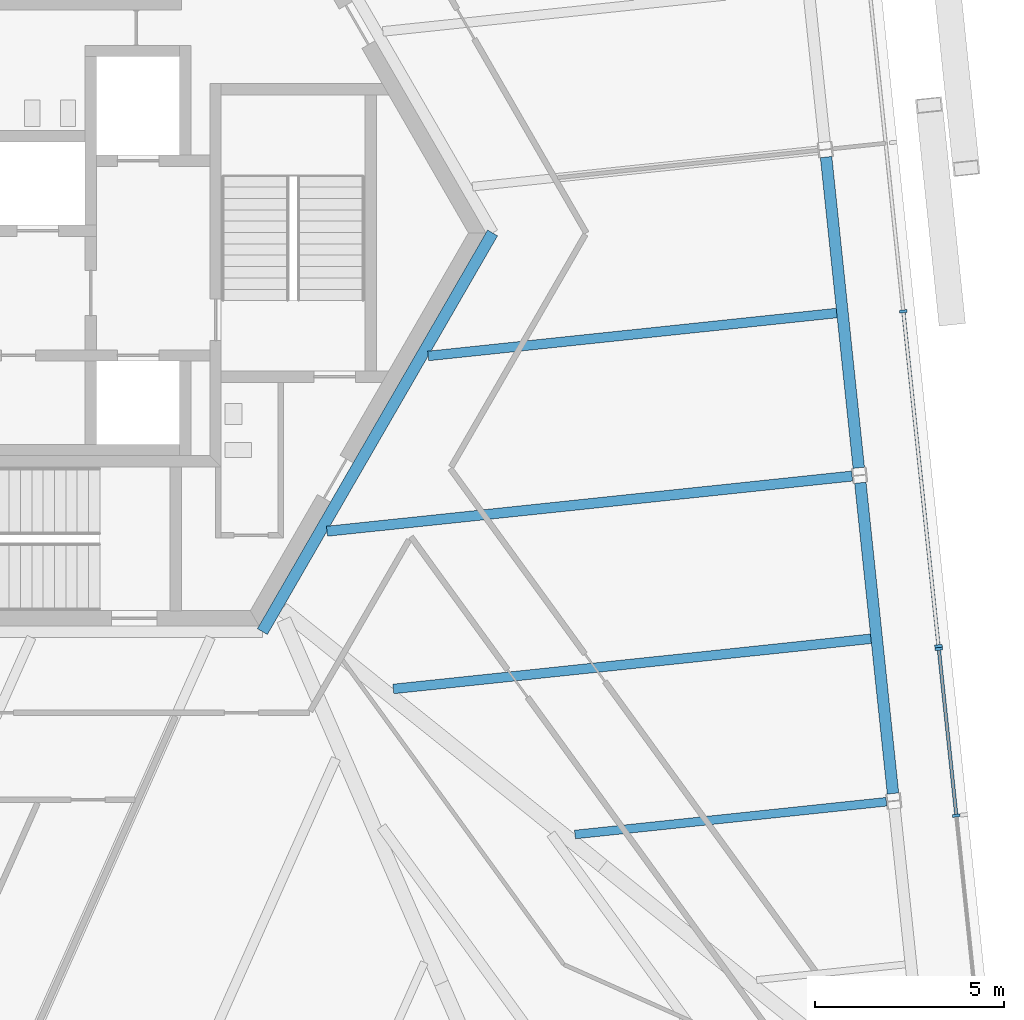
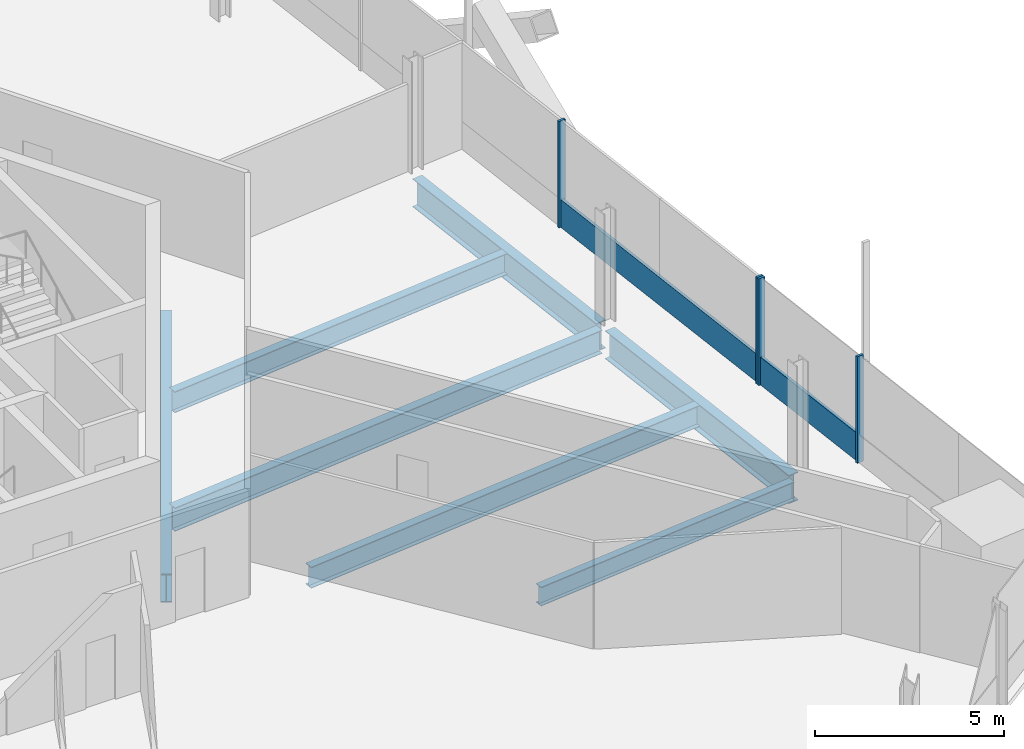
# One storey, part 6 of 21: 7 beams, 6 members, 2 elements without a shape of their own.
"""IFC4 building model written with IfcOpenShell, lengths in metres."""

from ifc_helpers import new_model, si_unit, direction, frame, origin, origin_2d, place, context, subcontext, project, spatial, rectangle, i_section, extrude, source, transform, mapped, material, material_profile, profile_set, type_object, element, aggregate, save


model = new_model("IFC4")

# Units and contexts
model_context = context("Model", 3, precision=1e-05, world=origin(), true_north=direction((0.0, 1.0)))
body_context = subcontext(model_context, "Body", "Model", "MODEL_VIEW")
ifc_project = project(units=[si_unit("LENGTHUNIT", "METRE"), si_unit("AREAUNIT", "SQUARE_METRE"), si_unit("VOLUMEUNIT", "CUBIC_METRE"), si_unit("PLANEANGLEUNIT", "RADIAN"), si_unit("MASSUNIT", "GRAM", prefix="KILO")], contexts=[model_context])

# Site, building, storey
site_placement = place(None, origin())
site = spatial("IfcSite", under=ifc_project, at=site_placement, CompositionType="ELEMENT")
building_placement = place(site_placement, origin())
building = spatial("IfcBuilding", under=site, at=building_placement, Name="Triune Harvest Tower", CompositionType="ELEMENT")
storey_placement = place(building_placement, frame((0.0, 0.0, 72.89990234375)))
storey = spatial("IfcBuildingStorey", under=building, at=storey_placement, Name="L17", CompositionType="ELEMENT", Elevation=72.89990234375)

# Beams
ifc_material_1 = material(Name="Steel ASTM A992 Gr 50", Category="steel")
ifc_material_profile_1 = material_profile(ifc_material_1, i_section(OverallWidth=0.3046875, OverallDepth=0.914306640625, WebThickness=0.0166015625, FlangeThickness=0.02587890625, at=origin_2d()), Name="W36x160")
ifc_profile_set_1 = profile_set([ifc_material_profile_1], Name="Steel ASTM A992 Gr 50")
beam_type_1 = type_object("IfcBeamType", Name="CG-1 Core ring girder W36x160", PredefinedType="BEAM", material=ifc_profile_set_1)
shared_shape_1 = source(origin(), body_context, "Body", "SweptSolid", [
    extrude(i_section(OverallWidth=0.3046875, OverallDepth=0.914306640625, WebThickness=0.0166015625, FlangeThickness=0.02587890625, at=origin_2d()), origin(), (0.0, 0.0, 1.0), 12.176025390625),
])
beam_1_placement = place(storey_placement, frame((6.087890625, -10.544677734375, -0.6171875), z_axis=(0.5000099932, 0.866019634131, 0.0), x_axis=(-0.866019634131, 0.5000099932, 0.0)))
element("IfcBeam", 1, at=beam_1_placement, inside=storey, type_object=beam_type_1, Name="beam/L17/CG6", PredefinedType="BEAM", context=body_context, shape_type="MappedRepresentation", body=[
    mapped(shared_shape_1, transform((0.0, 0.0, 0.0), scale=1.0)),
])
ifc_material_2 = material(Name="Steel ASTM A992 Gr 50", Category="steel")
ifc_material_profile_2 = material_profile(ifc_material_2, i_section(OverallWidth=0.3046875, OverallDepth=0.914306640625, WebThickness=0.0166015625, FlangeThickness=0.02587890625, at=origin_2d()), Name="W36x160")
ifc_profile_set_2 = profile_set([ifc_material_profile_2], Name="Steel ASTM A992 Gr 50")
beam_type_2 = type_object("IfcBeamType", Name="SB-1 Spandrel beam W36x160", PredefinedType="SPANDREL", material=ifc_profile_set_2)
shared_shape_2 = source(origin(), body_context, "Body", "SweptSolid", [
    extrude(i_section(OverallWidth=0.3046875, OverallDepth=0.914306640625, WebThickness=0.0166015625, FlangeThickness=0.02587890625, at=origin_2d()), origin(), (0.0, 0.0, 1.0), 8.26318359375),
])
beam_2_placement = place(storey_placement, frame((22.76708984375, -14.826416015625, -0.6171875), z_axis=(-0.104530986234, 0.994521630191, 0.0), x_axis=(-0.994521630191, -0.104530986234, 0.0)))
element("IfcBeam", 2, at=beam_2_placement, inside=storey, type_object=beam_type_2, Name="beam/L17/SB2", PredefinedType="SPANDREL", context=body_context, shape_type="MappedRepresentation", body=[
    mapped(shared_shape_2, transform((0.0, 0.0, 0.0), scale=1.0)),
])
shared_shape_3 = source(origin(), body_context, "Body", "SweptSolid", [
    extrude(i_section(OverallWidth=0.3046875, OverallDepth=0.914306640625, WebThickness=0.0166015625, FlangeThickness=0.02587890625, at=origin_2d()), origin(), (0.0, 0.0, 1.0), 8.263427734375),
])
beam_3_placement = place(storey_placement, frame((21.861572265625, -6.211669921875, -0.6171875), z_axis=(-0.104527914852, 0.994521953009, 0.0), x_axis=(-0.994521953009, -0.104527914852, 0.0)))
element("IfcBeam", 3, at=beam_3_placement, inside=storey, type_object=beam_type_2, Name="beam/L17/SB3", PredefinedType="SPANDREL", context=body_context, shape_type="MappedRepresentation", body=[
    mapped(shared_shape_3, transform((0.0, 0.0, 0.0), scale=1.0)),
])
ifc_material_3 = material(Name="Steel ASTM A992 Gr 50", Category="steel")
ifc_material_profile_3 = material_profile(ifc_material_3, i_section(OverallWidth=0.22900390625, OverallDepth=0.612060546875, WebThickness=0.011962890625, FlangeThickness=0.01953125, at=origin_2d()), Name="W24x84")
ifc_profile_set_3 = profile_set([ifc_material_profile_3], Name="Steel ASTM A992 Gr 50")
beam_type_3 = type_object("IfcBeamType", Name="JT-3 Floor joist W24x84", PredefinedType="JOIST", material=ifc_profile_set_3)
shared_shape_4 = source(origin(), body_context, "Body", "SweptSolid", [
    extrude(i_section(OverallWidth=0.22900390625, OverallDepth=0.612060546875, WebThickness=0.011962890625, FlangeThickness=0.01953125, at=origin_2d()), origin(), (0.0, 0.0, 1.0), 8.28173828125),
])
beam_4_placement = place(storey_placement, frame((22.592041015625, -15.04541015625, -0.466064453125), z_axis=(-0.994521271652, -0.104534397358, 0.0), x_axis=(0.104534397358, -0.994521271652, 0.0)))
element("IfcBeam", 4, at=beam_4_placement, inside=storey, type_object=beam_type_3, Name="beam/L17/JT2", PredefinedType="JOIST", context=body_context, shape_type="MappedRepresentation", body=[
    mapped(shared_shape_4, transform((0.0, 0.0, 0.0), scale=1.0)),
])
ifc_material_4 = material(Name="Steel ASTM A992 Gr 50", Category="steel")
ifc_material_profile_4 = material_profile(ifc_material_4, i_section(OverallWidth=0.253662109375, OverallDepth=0.683349609375, WebThickness=0.012451171875, FlangeThickness=0.01904296875, at=origin_2d()), Name="W27x94")
ifc_profile_set_4 = profile_set([ifc_material_profile_4], Name="Steel ASTM A992 Gr 50")
beam_type_4 = type_object("IfcBeamType", Name="JT-4 Floor joist W27x94", PredefinedType="JOIST", material=ifc_profile_set_4)
shared_shape_5 = source(origin(), body_context, "Body", "SweptSolid", [
    extrude(i_section(OverallWidth=0.253662109375, OverallDepth=0.683349609375, WebThickness=0.012451171875, FlangeThickness=0.01904296875, at=origin_2d()), origin(), (0.0, 0.0, 1.0), 12.70166015625),
])
beam_5_placement = place(storey_placement, frame((22.18359375, -10.7333984375, -0.50146484375), z_axis=(-0.994522291469, -0.104524694556, 0.0), x_axis=(0.104524694556, -0.994522291469, 0.0)))
element("IfcBeam", 5, at=beam_5_placement, inside=storey, type_object=beam_type_4, Name="beam/L17/JT3", PredefinedType="JOIST", context=body_context, shape_type="MappedRepresentation", body=[
    mapped(shared_shape_5, transform((0.0, 0.0, 0.0), scale=1.0)),
])
ifc_material_5 = material(Name="Steel ASTM A992 Gr 50", Category="steel")
ifc_material_profile_5 = material_profile(ifc_material_5, i_section(OverallWidth=0.2666015625, OverallDepth=0.7568359375, WebThickness=0.013916015625, FlangeThickness=0.019287109375, at=origin_2d()), Name="W30x108")
ifc_profile_set_5 = profile_set([ifc_material_profile_5], Name="Steel ASTM A992 Gr 50")
beam_type_5 = type_object("IfcBeamType", Name="JT-5 Floor joist W30x108", PredefinedType="JOIST", material=ifc_profile_set_5)
shared_shape_6 = source(origin(), body_context, "Body", "SweptSolid", [
    extrude(i_section(OverallWidth=0.2666015625, OverallDepth=0.7568359375, WebThickness=0.013916015625, FlangeThickness=0.019287109375, at=origin_2d()), origin(), (0.0, 0.0, 1.0), 13.966552734375),
])
beam_6_placement = place(storey_placement, frame((21.6865234375, -6.4306640625, -0.538330078125), z_axis=(-0.994523349671, -0.104514625579, 0.0), x_axis=(0.104514625579, -0.994523349671, 0.0)))
element("IfcBeam", 6, at=beam_6_placement, inside=storey, type_object=beam_type_5, Name="beam/L17/JT4", PredefinedType="JOIST", context=body_context, shape_type="MappedRepresentation", body=[
    mapped(shared_shape_6, transform((0.0, 0.0, 0.0), scale=1.0)),
])
shared_shape_7 = source(origin(), body_context, "Body", "SweptSolid", [
    extrude(i_section(OverallWidth=0.253662109375, OverallDepth=0.683349609375, WebThickness=0.012451171875, FlangeThickness=0.01904296875, at=origin_2d()), origin(), (0.0, 0.0, 1.0), 10.864501953125),
])
beam_7_placement = place(storey_placement, frame((21.278076171875, -2.11865234375, -0.50146484375), z_axis=(-0.994523292564, -0.104515168984, 0.0), x_axis=(0.104515168984, -0.994523292564, 0.0)))
element("IfcBeam", 7, at=beam_7_placement, inside=storey, type_object=beam_type_4, Name="beam/L17/JT5", PredefinedType="JOIST", context=body_context, shape_type="MappedRepresentation", body=[
    mapped(shared_shape_7, transform((0.0, 0.0, 0.0), scale=1.0)),
])

# Curtain wall, member
ifc_material_6 = material(Name="Aluminium bronze anodised", Category="aluminium")
curtain_wall_type_1 = type_object("IfcCurtainWallType", Name="CW-7 Tower stick curtain wall with insulated spandrel infill", PredefinedType="NOTDEFINED", material=ifc_material_6)
curtain_wall_1_placement = place(storey_placement, origin())
curtain_wall_1 = element("IfcCurtainWall", 8, at=curtain_wall_1_placement, inside=storey, type_object=curtain_wall_type_1, Name="CW-7 B2-F1 L17 run 1001")
ifc_material_7 = material(Name="Aluminium bronze anodised", Category="aluminium")
ifc_material_profile_6 = material_profile(ifc_material_7, rectangle(XDim=0.090087890625, YDim=0.89990234375, at=origin_2d()), Name="TR-1 transom 90 x 900")
ifc_profile_set_6 = profile_set([ifc_material_profile_6], Name="Aluminium bronze anodised")
member_type_1 = type_object("IfcMemberType", Name="TR-1 transom 90 x 900", PredefinedType="USERDEFINED", material=ifc_profile_set_6)
shared_shape_8 = source(origin(), body_context, "Body", "SweptSolid", [
    extrude(rectangle(XDim=0.090087890625, YDim=0.89990234375, at=origin_2d()), origin(), (0.0, 0.0, 1.0), 8.82861328125),
])
member_1_placement = place(storey_placement, frame((23.967529296875, -10.89111328125, 0.4501953125), z_axis=(-0.10452931889, 0.994521805438, 0.0), x_axis=(-0.994521805438, -0.10452931889, 0.0)))
member_1 = element("IfcMember", 9, at=member_1_placement, type_object=member_type_1, Name="CW-7 transom B2-F1 1001.1", ObjectType="TRANSOM", PredefinedType="USERDEFINED", context=body_context, shape_type="MappedRepresentation", body=[
    mapped(shared_shape_8, transform((0.0, 0.0, 0.0), scale=1.0)),
])

# Curtain wall, members
ifc_material_8 = material(Name="Aluminium bronze anodised", Category="aluminium")
curtain_wall_type_2 = type_object("IfcCurtainWallType", Name="CW-1 Tower stick curtain wall", PredefinedType="NOTDEFINED", material=ifc_material_8)
curtain_wall_2_placement = place(storey_placement, origin())
curtain_wall_2 = element("IfcCurtainWall", 10, at=curtain_wall_2_placement, inside=storey, type_object=curtain_wall_type_2, Name="CW-1 B2-F1 L17 run 1")
shared_shape_9 = source(origin(), body_context, "Body", "SweptSolid", [
    extrude(rectangle(XDim=0.090087890625, YDim=0.89990234375, at=origin_2d()), origin(), (0.0, 0.0, 1.0), 4.358154296875),
])
member_2_placement = place(storey_placement, frame((24.438720703125, -15.37451171875, 0.4501953125), z_axis=(-0.104533145855, 0.994521403197, 0.0), x_axis=(-0.994521403197, -0.104533145855, 0.0)))
member_2 = element("IfcMember", 11, at=member_2_placement, type_object=member_type_1, Name="CW-1 transom B2-F1 1.2", ObjectType="TRANSOM", PredefinedType="USERDEFINED", context=body_context, shape_type="MappedRepresentation", body=[
    mapped(shared_shape_9, transform((0.0, 0.0, 0.0), scale=1.0)),
])
ifc_material_9 = material(Name="Aluminium bronze anodised", Category="aluminium")
ifc_material_profile_7 = material_profile(ifc_material_9, rectangle(XDim=0.199951171875, YDim=0.074951171875, at=origin_2d()), Name="MU-1 mullion 75 x 200")
ifc_profile_set_7 = profile_set([ifc_material_profile_7], Name="Aluminium bronze anodised")
member_type_2 = type_object("IfcMemberType", Name="MU-1 mullion 75 x 200", PredefinedType="MULLION", material=ifc_profile_set_7)
shared_shape_10 = source(origin(), body_context, "Body", "SweptSolid", [
    extrude(rectangle(XDim=0.199951171875, YDim=0.074951171875, at=origin_2d()), origin(), (0.0, 0.0, 1.0), 3.440185546875),
])
member_3_placement = place(storey_placement, frame((24.442626953125, -15.411865234375, 0.0), z_axis=(0.0, 0.0, 1.0), x_axis=(-0.994522039273, -0.104527094094, 0.0)))
member_3 = element("IfcMember", 12, at=member_3_placement, type_object=member_type_2, Name="CW-1 mullion B2-F1 1.3", PredefinedType="MULLION", context=body_context, shape_type="MappedRepresentation", body=[
    mapped(shared_shape_10, transform((0.0, 0.0, 0.0), scale=1.0)),
])
member_4_placement = place(storey_placement, frame((23.979248046875, -11.0029296875, 0.0), z_axis=(0.0, 0.0, 1.0), x_axis=(-0.994522039273, -0.104527094094, 0.0)))
member_4 = element("IfcMember", 13, at=member_4_placement, type_object=member_type_2, Name="CW-1 mullion B2-F1 1.4", PredefinedType="MULLION", context=body_context, shape_type="MappedRepresentation", body=[
    mapped(shared_shape_10, transform((0.0, 0.0, 0.0), scale=1.0)),
])
aggregate(curtain_wall_2, [member_3, member_4, member_2])

# Member
member_5_placement = place(storey_placement, frame((23.971435546875, -10.928466796875, 0.0), z_axis=(0.0, 0.0, 1.0), x_axis=(-0.994521938115, -0.10452805656, 0.0)))
member_5 = element("IfcMember", 14, at=member_5_placement, type_object=member_type_2, Name="CW-7 mullion B2-F1 1001.1", PredefinedType="MULLION", context=body_context, shape_type="MappedRepresentation", body=[
    mapped(shared_shape_10, transform((0.0, 0.0, 0.0), scale=1.0)),
])

member_6_placement = place(storey_placement, frame((23.040771484375, -2.073486328125, 0.0), z_axis=(0.0, 0.0, 1.0), x_axis=(-0.994521938115, -0.10452805656, 0.0)))
member_6 = element("IfcMember", 15, at=member_6_placement, type_object=member_type_2, Name="CW-7 mullion B2-F1 1001.3", PredefinedType="MULLION", context=body_context, shape_type="MappedRepresentation", body=[
    mapped(shared_shape_10, transform((0.0, 0.0, 0.0), scale=1.0)),
])

aggregate(curtain_wall_1, [member_5, member_6, member_1])

save(model, "model.ifc")
